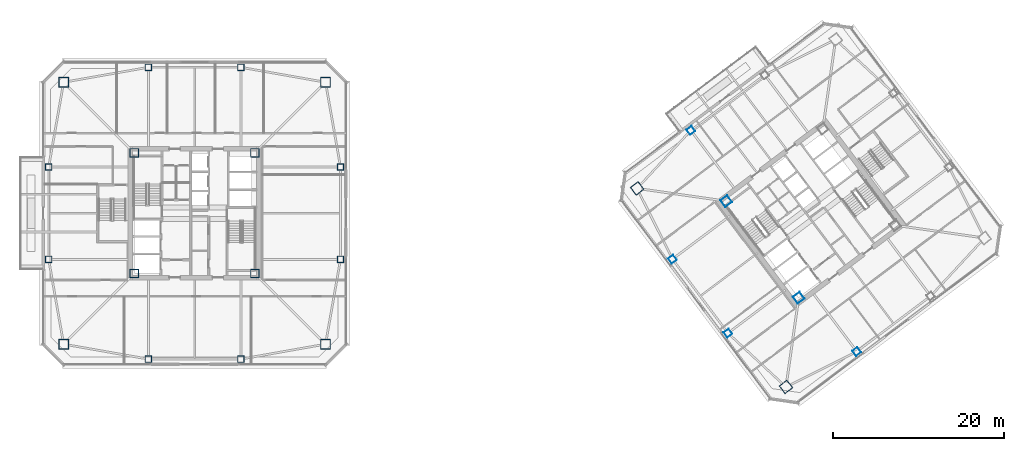
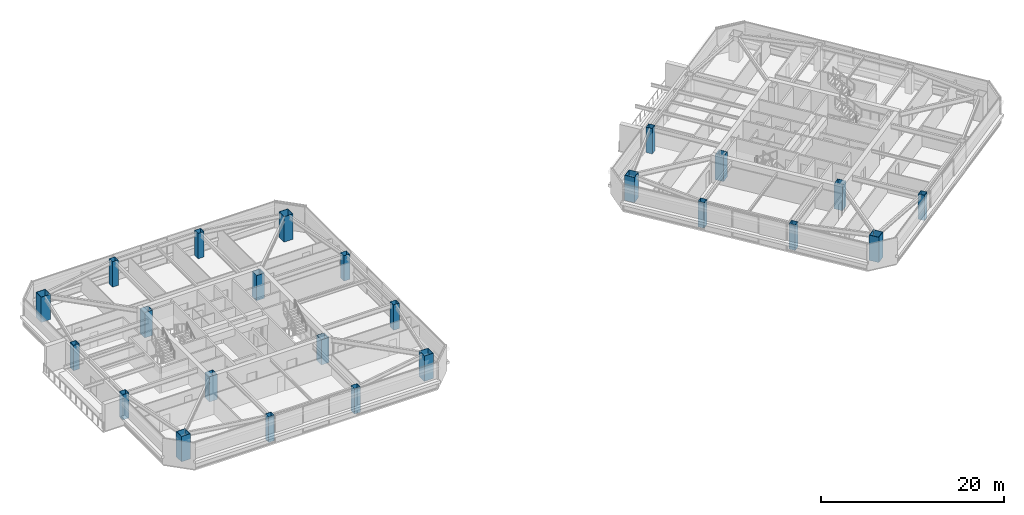
# One storey, part 1 of 43: 24 columns.
"""IFC4 building model written with IfcOpenShell, lengths in metres."""

from ifc_helpers import new_model, si_unit, direction, frame, origin, origin_2d, place, context, subcontext, project, spatial, hollow_rectangle, extrude, material, material_profile, profile_set, type_object, element, save


model = new_model("IFC4")

# Units and contexts
model_context = context("Model", 3, precision=1e-05, world=origin(), true_north=direction((0.0, 1.0)))
body_context = subcontext(model_context, "Body", "Model", "MODEL_VIEW")
ifc_project = project(units=[si_unit("LENGTHUNIT", "METRE"), si_unit("AREAUNIT", "SQUARE_METRE"), si_unit("VOLUMEUNIT", "CUBIC_METRE"), si_unit("PLANEANGLEUNIT", "RADIAN"), si_unit("MASSUNIT", "GRAM", prefix="KILO")], contexts=[model_context])

# Site, building, storey
site_placement = place(None, origin())
site = spatial("IfcSite", under=ifc_project, at=site_placement, CompositionType="ELEMENT")
building_placement = place(site_placement, origin())
building = spatial("IfcBuilding", under=site, at=building_placement, Name="Tashvorn Skyway Center", CompositionType="ELEMENT")
storey_placement = place(building_placement, frame((0.0, 0.0, 188.949951171875)))
storey = spatial("IfcBuildingStorey", under=building, at=storey_placement, Name="L51", CompositionType="ELEMENT", Elevation=188.949951171875)

# Columns
ifc_material = material(Name="Steel ASTM A572 Grade 50", Category="steel")
ifc_material_profile_1 = material_profile(ifc_material, hollow_rectangle(XDim=1.0, YDim=1.0, WallThickness=0.0400390625, at=origin_2d()), Name="BOX1000x1000x40")
ifc_profile_set_1 = profile_set([ifc_material_profile_1], Name="Steel ASTM A572 Grade 50")
column_type_1 = type_object("IfcColumnType", Name="COL-BOX1000x1000x40", PredefinedType="COLUMN", material=ifc_profile_set_1)
for number, where, z_axis, x_axis, name in (
    (1, (34.949951171875, 24.949951171875, 0.0), (0.0, 0.0, 1.0), (1.0, 0.0, 0.0), "Tower 1 L51 Core Corner Column CC-SW"),
    (2, (49.050048828125, 24.949951171875, 0.0), (0.0, 0.0, 1.0), (1.0, 0.0, 0.0), "Tower 1 L51 Core Corner Column CC-SE"),
    (3, (49.050048828125, 39.050048828125, 0.0), (0.0, 0.0, 1.0), (1.0, 0.0, 0.0), "Tower 1 L51 Core Corner Column CC-NE"),
    (4, (34.949951171875, 39.050048828125, 0.0), (0.0, 0.0, 1.0), (1.0, 0.0, 0.0), "Tower 1 L51 Core Corner Column CC-NW"),
    (5, (112.590087890625, 22.1298828125, 0.0), (0.0, 0.0, 1.0), (0.799999996291, 0.600000004945, 0.0), "Tower 2 L51 Core Corner Column CC-SW"),
    (6, (104.1298828125, 33.409912109375, 0.0), (0.0, 0.0, 1.0), (0.799999996291, 0.600000004945, 0.0), "Tower 2 L51 Core Corner Column CC-NW"),
):
    element("IfcColumn", number, at=place(storey_placement, frame(where, z_axis=z_axis, x_axis=x_axis)), inside=storey, type_object=column_type_1, Name=name, PredefinedType="COLUMN", context=body_context, shape_type="SweptSolid", body=[
        extrude(hollow_rectangle(XDim=1.0, YDim=1.0, WallThickness=0.0400390625, at=origin_2d()), origin(), (0.0, 0.0, 1.0), 3.3701171875),
    ])
ifc_material_profile_2 = material_profile(ifc_material, hollow_rectangle(XDim=1.14990234375, YDim=1.14990234375, WallThickness=0.044921875, at=origin_2d()), Name="BOX1150x1150x45")
ifc_profile_set_2 = profile_set([ifc_material_profile_2], Name="Steel ASTM A572 Grade 50")
column_type_2 = type_object("IfcColumnType", Name="COL-BOX1150x1150x45", PredefinedType="COLUMN", material=ifc_profile_set_2)
for number, where, z_axis, x_axis, name in (
    (7, (26.699951171875, 16.699951171875, 0.0), (0.0, 0.0, 1.0), (1.0, 0.0, 0.0), "Tower 1 L51 Mega-Column MC-SW"),
    (8, (57.300048828125, 16.699951171875, 0.0), (0.0, 0.0, 1.0), (1.0, 0.0, 0.0), "Tower 1 L51 Mega-Column MC-SE"),
    (9, (57.300048828125, 47.300048828125, 0.0), (0.0, 0.0, 1.0), (1.0, 0.0, 0.0), "Tower 1 L51 Mega-Column MC-NE"),
    (10, (26.699951171875, 47.300048828125, 0.0), (0.0, 0.0, 1.0), (1.0, 0.0, 0.0), "Tower 1 L51 Mega-Column MC-NW"),
    (11, (111.10009765625, 11.699951171875, 0.0), (0.0, 0.0, 1.0), (0.799999996291, 0.600000004945, 0.0), "Tower 2 L51 Mega-Column MC-SW"),
    (12, (93.699951171875, 34.89990234375, 0.0), (0.0, 0.0, 1.0), (0.799999996291, 0.600000004945, 0.0), "Tower 2 L51 Mega-Column MC-NW"),
):
    element("IfcColumn", number, at=place(storey_placement, frame(where, z_axis=z_axis, x_axis=x_axis)), inside=storey, type_object=column_type_2, Name=name, PredefinedType="COLUMN", context=body_context, shape_type="SweptSolid", body=[
        extrude(hollow_rectangle(XDim=1.14990234375, YDim=1.14990234375, WallThickness=0.044921875, at=origin_2d()), origin(), (0.0, 0.0, 1.0), 3.3701171875),
    ])
ifc_material_profile_3 = material_profile(ifc_material, hollow_rectangle(XDim=0.75, YDim=0.75, WallThickness=0.031982421875, at=origin_2d()), Name="BOX750x750x32")
ifc_profile_set_3 = profile_set([ifc_material_profile_3], Name="Steel ASTM A572 Grade 50")
column_type_3 = type_object("IfcColumnType", Name="COL-BOX750x750x32", PredefinedType="COLUMN", material=ifc_profile_set_3)
for number, where, z_axis, x_axis, name in (
    (13, (36.60009765625, 14.949951171875, 0.0), (0.0, 0.0, 1.0), (1.0, 0.0, 0.0), "Tower 1 L51 Perimeter Column FC-S1"),
    (14, (47.39990234375, 14.949951171875, 0.0), (0.0, 0.0, 1.0), (1.0, 0.0, 0.0), "Tower 1 L51 Perimeter Column FC-S2"),
    (15, (59.050048828125, 26.60009765625, 0.0), (0.0, 0.0, 1.0), (1.0, 0.0, 0.0), "Tower 1 L51 Perimeter Column FC-E1"),
    (16, (59.050048828125, 37.39990234375, 0.0), (0.0, 0.0, 1.0), (1.0, 0.0, 0.0), "Tower 1 L51 Perimeter Column FC-E2"),
    (17, (47.39990234375, 49.050048828125, 0.0), (0.0, 0.0, 1.0), (1.0, 0.0, 0.0), "Tower 1 L51 Perimeter Column FC-N1"),
    (18, (36.60009765625, 49.050048828125, 0.0), (0.0, 0.0, 1.0), (1.0, 0.0, 0.0), "Tower 1 L51 Perimeter Column FC-N2"),
    (19, (24.949951171875, 37.39990234375, 0.0), (0.0, 0.0, 1.0), (1.0, 0.0, 0.0), "Tower 1 L51 Perimeter Column FC-W1"),
    (20, (24.949951171875, 26.60009765625, 0.0), (0.0, 0.0, 1.0), (1.0, 0.0, 0.0), "Tower 1 L51 Perimeter Column FC-W2"),
    (21, (119.3701171875, 15.840087890625, 0.0), (0.0, 0.0, 1.0), (0.799999996291, 0.600000004945, 0.0), "Tower 2 L51 Perimeter Column FC-S1"),
    (22, (99.989990234375, 41.679931640625, 0.0), (0.0, 0.0, 1.0), (0.799999996291, 0.600000004945, 0.0), "Tower 2 L51 Perimeter Column FC-N2"),
    (23, (97.840087890625, 26.6298828125, 0.0), (0.0, 0.0, 1.0), (0.799999996291, 0.600000004945, 0.0), "Tower 2 L51 Perimeter Column FC-W1"),
    (24, (104.320068359375, 17.989990234375, 0.0), (0.0, 0.0, 1.0), (0.799999996291, 0.600000004945, 0.0), "Tower 2 L51 Perimeter Column FC-W2"),
):
    element("IfcColumn", number, at=place(storey_placement, frame(where, z_axis=z_axis, x_axis=x_axis)), inside=storey, type_object=column_type_3, Name=name, PredefinedType="COLUMN", context=body_context, shape_type="SweptSolid", body=[
        extrude(hollow_rectangle(XDim=0.75, YDim=0.75, WallThickness=0.031982421875, at=origin_2d()), origin(), (0.0, 0.0, 1.0), 3.3701171875),
    ])

save(model, "model.ifc")
